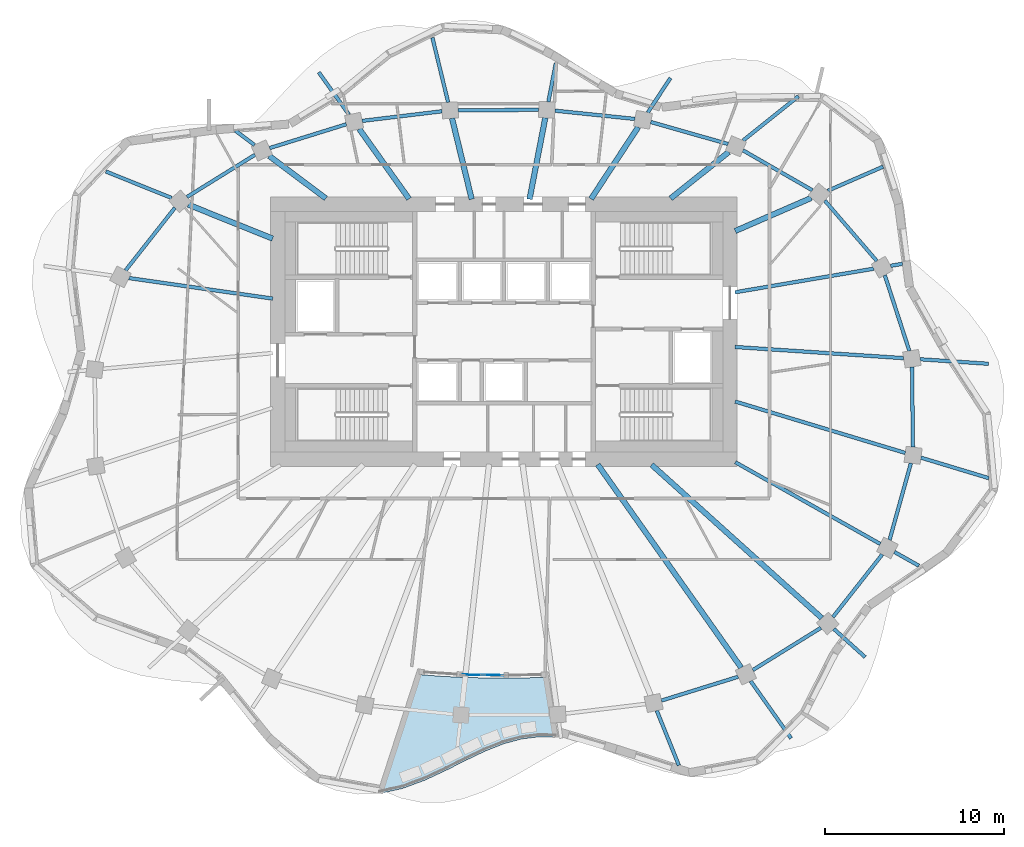
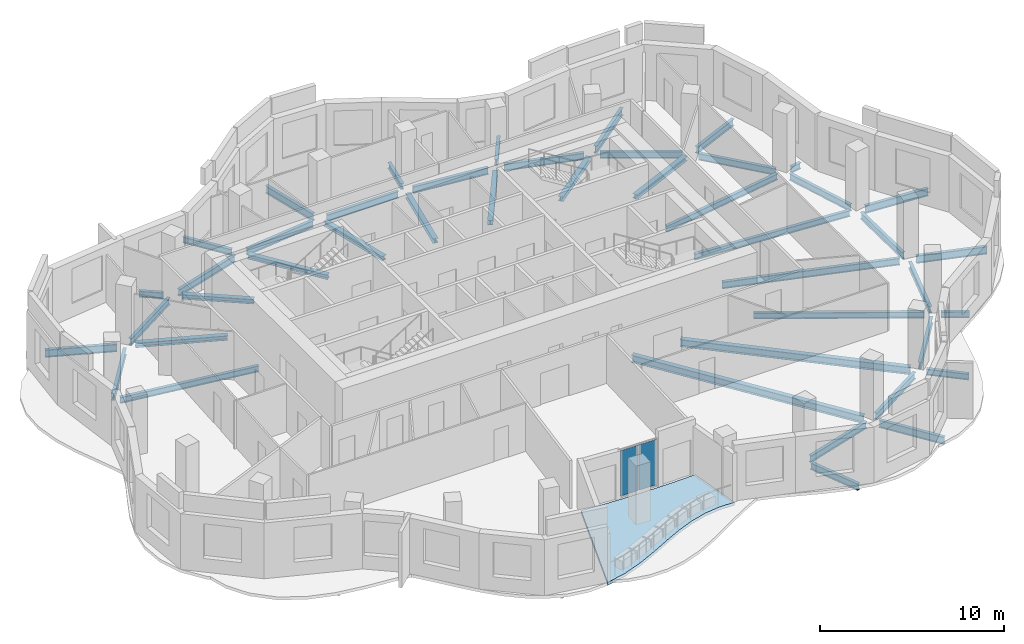
# One storey, part 3 of 12: 45 beams, 2 plates, 1 slab, 1 element without a shape of its own.
"""IFC4 building model written with IfcOpenShell, lengths in metres."""

from ifc_helpers import new_model, si_unit, direction, frame, origin, origin_2d, place, context, subcontext, project, spatial, polyline, rectangle, i_section, outline, extrude, material, layer, layer_set, material_profile, profile_set, type_object, element, aggregate, save


model = new_model("IFC4")

# Units and contexts
model_context = context("Model", 3, precision=1e-05, world=origin(), true_north=direction((0.0, 1.0)))
body_context = subcontext(model_context, "Body", "Model", "MODEL_VIEW")
ifc_project = project(units=[si_unit("LENGTHUNIT", "METRE"), si_unit("AREAUNIT", "SQUARE_METRE"), si_unit("VOLUMEUNIT", "CUBIC_METRE"), si_unit("PLANEANGLEUNIT", "RADIAN"), si_unit("MASSUNIT", "GRAM", prefix="KILO")], contexts=[model_context])

# Site, building, storey
site_placement = place(None, origin())
site = spatial("IfcSite", under=ifc_project, at=site_placement, CompositionType="ELEMENT")
building_placement = place(site_placement, origin())
building = spatial("IfcBuilding", under=site, at=building_placement, Name="Rubra Terraces Tower", CompositionType="ELEMENT")
storey_placement = place(building_placement, frame((0.0, 0.0, 276.60009765625)))
storey = spatial("IfcBuildingStorey", under=building, at=storey_placement, Name="L68", CompositionType="ELEMENT", Elevation=276.60009765625)

# Beams
ifc_material_1 = material(Name="Steel Q355B", Category="steel")
ifc_material_profile_1 = material_profile(ifc_material_1, i_section(OverallWidth=0.199951171875, OverallDepth=0.39990234375, WebThickness=0.008056640625, FlangeThickness=0.012939453125, at=origin_2d()), Name="HN 400x200x8x13")
ifc_profile_set_1 = profile_set([ifc_material_profile_1], Name="Steel Q355B")
beam_type_1 = type_object("IfcBeamType", Name="CANTILEVER BEAM HN 400x200x8x13", PredefinedType="BEAM", material=ifc_profile_set_1)
beam_1_placement = place(storey_placement, frame((8.01806640625, 16.714111328125, -0.400146484375), z_axis=(0.548693482057, 0.836023601789, 0.0), x_axis=(-0.836023601789, 0.548693482057, 0.0)))
element("IfcBeam", 1, at=beam_1_placement, inside=storey, type_object=beam_type_1, Name="beam-L68-cant-05", PredefinedType="BEAM", context=body_context, shape_type="SweptSolid", body=[
    extrude(i_section(OverallWidth=0.199951171875, OverallDepth=0.39990234375, WebThickness=0.008056640625, FlangeThickness=0.012939453125, at=origin_2d()), origin(), (0.0, 0.0, 1.0), 2.303466796875),
])
beam_2_placement = place(storey_placement, frame((2.47802734375, 17.30810546875, -0.400146484375), z_axis=(0.190070576242, 0.981770429401, 0.0), x_axis=(-0.981770429401, 0.190070576242, 0.0)))
element("IfcBeam", 2, at=beam_2_placement, inside=storey, type_object=beam_type_1, Name="beam-L68-cant-06", PredefinedType="BEAM", context=body_context, shape_type="SweptSolid", body=[
    extrude(i_section(OverallWidth=0.199951171875, OverallDepth=0.39990234375, WebThickness=0.008056640625, FlangeThickness=0.012939453125, at=origin_2d()), origin(), (0.0, 0.0, 1.0), 2.18359375),
])
beam_3_placement = place(storey_placement, frame((-8.632080078125, 16.591064453125, -0.400146484375), z_axis=(-0.581015335916, 0.813892609274, 0.0), x_axis=(-0.813892609274, -0.581015335916, 0.0)))
element("IfcBeam", 3, at=beam_3_placement, inside=storey, type_object=beam_type_1, Name="beam-L68-cant-08", PredefinedType="BEAM", context=body_context, shape_type="SweptSolid", body=[
    extrude(i_section(OverallWidth=0.199951171875, OverallDepth=0.39990234375, WebThickness=0.008056640625, FlangeThickness=0.012939453125, at=origin_2d()), origin(), (0.0, 0.0, 1.0), 2.90185546875),
])
beam_4_placement = place(storey_placement, frame((18.386962890625, -12.06591796875, -0.400146484375), z_axis=(0.742802170088, -0.669510967881, 0.0), x_axis=(0.669510967881, 0.742802170088, 0.0)))
element("IfcBeam", 4, at=beam_4_placement, inside=storey, type_object=beam_type_1, Name="beam-L68-cant-22", PredefinedType="BEAM", context=body_context, shape_type="SweptSolid", body=[
    extrude(i_section(OverallWidth=0.199951171875, OverallDepth=0.39990234375, WebThickness=0.008056640625, FlangeThickness=0.012939453125, at=origin_2d()), origin(), (0.0, 0.0, 1.0), 2.34521484375),
])
beam_5_placement = place(storey_placement, frame((21.759033203125, -7.77490234375, -0.400146484375), z_axis=(0.870855473969, -0.491539157604, 0.0), x_axis=(0.491539157604, 0.870855473969, 0.0)))
element("IfcBeam", 5, at=beam_5_placement, inside=storey, type_object=beam_type_1, Name="beam-L68-cant-23", PredefinedType="BEAM", context=body_context, shape_type="SweptSolid", body=[
    extrude(i_section(OverallWidth=0.199951171875, OverallDepth=0.39990234375, WebThickness=0.008056640625, FlangeThickness=0.012939453125, at=origin_2d()), origin(), (0.0, 0.0, 1.0), 1.568603515625),
])
ifc_material_profile_2 = material_profile(ifc_material_1, i_section(OverallWidth=0.198974609375, OverallDepth=0.446044921875, WebThickness=0.008056640625, FlangeThickness=0.011962890625, at=origin_2d()), Name="HN 446x199x8x12")
ifc_profile_set_2 = profile_set([ifc_material_profile_2], Name="Steel Q355B")
beam_type_2 = type_object("IfcBeamType", Name="CANTILEVER BEAM HN 446x199x8x12", PredefinedType="BEAM", material=ifc_profile_set_2)
beam_6_placement = place(storey_placement, frame((18.047119140625, 12.35205078125, -0.423095703125), z_axis=(0.916884095098, 0.399153549597, 0.0), x_axis=(-0.399153549597, 0.916884095098, 0.0)))
element("IfcBeam", 6, at=beam_6_placement, inside=storey, type_object=beam_type_2, Name="beam-L68-cant-03", PredefinedType="BEAM", context=body_context, shape_type="SweptSolid", body=[
    extrude(i_section(OverallWidth=0.198974609375, OverallDepth=0.446044921875, WebThickness=0.008056640625, FlangeThickness=0.011962890625, at=origin_2d()), origin(), (0.0, 0.0, 1.0), 3.3623046875),
])
beam_7_placement = place(storey_placement, frame((8.51806640625, -16.615966796875, -0.423095703125), z_axis=(0.374201866124, -0.927347272271, 0.0), x_axis=(0.927347272271, 0.374201866124, 0.0)))
element("IfcBeam", 7, at=beam_7_placement, inside=storey, type_object=beam_type_2, Name="beam-L68-cant-20", PredefinedType="BEAM", context=body_context, shape_type="SweptSolid", body=[
    extrude(i_section(OverallWidth=0.198974609375, OverallDepth=0.446044921875, WebThickness=0.008056640625, FlangeThickness=0.011962890625, at=origin_2d()), origin(), (0.0, 0.0, 1.0), 3.292236328125),
])
ifc_material_profile_3 = material_profile(ifc_material_1, i_section(OverallWidth=0.198974609375, OverallDepth=0.49609375, WebThickness=0.009033203125, FlangeThickness=0.013916015625, at=origin_2d()), Name="HN 496x199x9x14")
ifc_profile_set_3 = profile_set([ifc_material_profile_3], Name="Steel Q355B")
beam_type_3 = type_object("IfcBeamType", Name="CANTILEVER BEAM HN 496x199x9x14", PredefinedType="BEAM", material=ifc_profile_set_3)
beam_8_placement = place(storey_placement, frame((23.195068359375, 2.9619140625, -0.447998046875), z_axis=(0.997815921371, -0.066055938858, 0.0), x_axis=(0.066055938858, 0.997815921371, 0.0)))
element("IfcBeam", 8, at=beam_8_placement, inside=storey, type_object=beam_type_3, Name="beam-L68-cant-01", PredefinedType="BEAM", context=body_context, shape_type="SweptSolid", body=[
    extrude(i_section(OverallWidth=0.198974609375, OverallDepth=0.49609375, WebThickness=0.009033203125, FlangeThickness=0.013916015625, at=origin_2d()), origin(), (0.0, 0.0, 1.0), 3.814208984375),
])
beam_9_placement = place(storey_placement, frame((13.326904296875, 15.152099609375, -0.447998046875), z_axis=(0.781158201486, 0.624333135634, 0.0), x_axis=(-0.624333135634, 0.781158201486, 0.0)))
element("IfcBeam", 9, at=beam_9_placement, inside=storey, type_object=beam_type_3, Name="beam-L68-cant-04", PredefinedType="BEAM", context=body_context, shape_type="SweptSolid", body=[
    extrude(i_section(OverallWidth=0.198974609375, OverallDepth=0.49609375, WebThickness=0.009033203125, FlangeThickness=0.013916015625, at=origin_2d()), origin(), (0.0, 0.0, 1.0), 3.949462890625),
])
beam_10_placement = place(storey_placement, frame((-3.10693359375, 17.280029296875, -0.447998046875), z_axis=(-0.236180248779, 0.971709262118, 0.0), x_axis=(-0.971709262118, -0.236180248779, 0.0)))
element("IfcBeam", 10, at=beam_10_placement, inside=storey, type_object=beam_type_3, Name="beam-L68-cant-07", PredefinedType="BEAM", context=body_context, shape_type="SweptSolid", body=[
    extrude(i_section(OverallWidth=0.198974609375, OverallDepth=0.49609375, WebThickness=0.009033203125, FlangeThickness=0.013916015625, at=origin_2d()), origin(), (0.0, 0.0, 1.0), 3.708984375),
])
beam_11_placement = place(storey_placement, frame((-18.51708984375, 11.949951171875, -0.447998046875), z_axis=(-0.927638789875, 0.373478614541, 0.0), x_axis=(-0.373478614541, -0.927638789875, 0.0)))
element("IfcBeam", 11, at=beam_11_placement, inside=storey, type_object=beam_type_3, Name="beam-L68-cant-10", PredefinedType="BEAM", context=body_context, shape_type="SweptSolid", body=[
    extrude(i_section(OverallWidth=0.198974609375, OverallDepth=0.49609375, WebThickness=0.009033203125, FlangeThickness=0.013916015625, at=origin_2d()), origin(), (0.0, 0.0, 1.0), 3.94970703125),
])
beam_12_placement = place(storey_placement, frame((13.7509765625, -14.969970703125, -0.447998046875), z_axis=(0.576938338503, -0.816787704098, 0.0), x_axis=(0.816787704098, 0.576938338503, 0.0)))
element("IfcBeam", 12, at=beam_12_placement, inside=storey, type_object=beam_type_3, Name="beam-L68-cant-21", PredefinedType="BEAM", context=body_context, shape_type="SweptSolid", body=[
    extrude(i_section(OverallWidth=0.198974609375, OverallDepth=0.49609375, WebThickness=0.009033203125, FlangeThickness=0.013916015625, at=origin_2d()), origin(), (0.0, 0.0, 1.0), 3.90673828125),
])
beam_13_placement = place(storey_placement, frame((23.239013671875, -2.52099609375, -0.447998046875), z_axis=(0.957281879251, -0.289156365412, 0.0), x_axis=(0.289156365412, 0.957281879251, 0.0)))
element("IfcBeam", 13, at=beam_13_placement, inside=storey, type_object=beam_type_3, Name="beam-L68-cant-24", PredefinedType="BEAM", context=body_context, shape_type="SweptSolid", body=[
    extrude(i_section(OverallWidth=0.198974609375, OverallDepth=0.49609375, WebThickness=0.009033203125, FlangeThickness=0.013916015625, at=origin_2d()), origin(), (0.0, 0.0, 1.0), 3.94970703125),
])
ifc_material_profile_4 = material_profile(ifc_material_1, i_section(OverallWidth=0.199951171875, OverallDepth=0.39990234375, WebThickness=0.008056640625, FlangeThickness=0.012939453125, at=origin_2d()), Name="HN 400x200x8x13")
ifc_profile_set_4 = profile_set([ifc_material_profile_4], Name="Steel Q355B")
beam_type_4 = type_object("IfcBeamType", Name="CANTILEVER STUB HN 400x200x8x13", PredefinedType="BEAM", material=ifc_profile_set_4)
beam_14_placement = place(storey_placement, frame((21.552001953125, 8.169921875, -0.400146484375), z_axis=(0.985763092969, 0.168140193115, 0.0), x_axis=(-0.168140193115, 0.985763092969, 0.0)))
element("IfcBeam", 14, at=beam_14_placement, inside=storey, type_object=beam_type_4, Name="beam-L68-cant-02", PredefinedType="BEAM", context=body_context, shape_type="SweptSolid", body=[
    extrude(i_section(OverallWidth=0.199951171875, OverallDepth=0.39990234375, WebThickness=0.008056640625, FlangeThickness=0.012939453125, at=origin_2d()), origin(), (0.0, 0.0, 1.0), 0.66650390625),
])
beam_15_placement = place(storey_placement, frame((-13.89794921875, 14.903076171875, -0.400146484375), z_axis=(-0.800460829236, 0.599385068932, 0.0), x_axis=(-0.599385068932, -0.800460829236, 0.0)))
element("IfcBeam", 15, at=beam_15_placement, inside=storey, type_object=beam_type_4, Name="beam-L68-cant-09", PredefinedType="BEAM", context=body_context, shape_type="SweptSolid", body=[
    extrude(i_section(OverallWidth=0.199951171875, OverallDepth=0.39990234375, WebThickness=0.008056640625, FlangeThickness=0.012939453125, at=origin_2d()), origin(), (0.0, 0.0, 1.0), 1.33447265625),
])
ifc_material_profile_5 = material_profile(ifc_material_1, i_section(OverallWidth=0.300048828125, OverallDepth=0.48193359375, WebThickness=0.010986328125, FlangeThickness=0.014892578125, at=origin_2d()), Name="HM 482x300x11x15")
ifc_profile_set_5 = profile_set([ifc_material_profile_5], Name="Steel Q355B")
beam_type_5 = type_object("IfcBeamType", Name="FLOOR BEAM HM 482x300x11x15", PredefinedType="BEAM", material=ifc_profile_set_5)
beam_16_placement = place(storey_placement, frame((13.222900390625, -14.221923828125, -0.441162109375), z_axis=(-0.576895514811, 0.816817950948, 0.0), x_axis=(-0.816817950948, -0.576895514811, 0.0)))
element("IfcBeam", 16, at=beam_16_placement, inside=storey, type_object=beam_type_5, Name="beam-L68-floor-21", PredefinedType="BEAM", context=body_context, shape_type="SweptSolid", body=[
    extrude(i_section(OverallWidth=0.300048828125, OverallDepth=0.48193359375, WebThickness=0.010986328125, FlangeThickness=0.014892578125, at=origin_2d()), origin(), (0.0, 0.0, 1.0), 13.8583984375),
])
beam_17_placement = place(storey_placement, frame((17.715087890625, -11.4599609375, -0.441162109375), z_axis=(-0.742980094736, 0.669313513105, 0.0), x_axis=(-0.669313513105, -0.742980094736, 0.0)))
element("IfcBeam", 17, at=beam_17_placement, inside=storey, type_object=beam_type_5, Name="beam-L68-floor-22", PredefinedType="BEAM", context=body_context, shape_type="SweptSolid", body=[
    extrude(i_section(OverallWidth=0.300048828125, OverallDepth=0.48193359375, WebThickness=0.010986328125, FlangeThickness=0.014892578125, at=origin_2d()), origin(), (0.0, 0.0, 1.0), 12.759521484375),
])
ifc_material_profile_6 = material_profile(ifc_material_1, i_section(OverallWidth=0.199951171875, OverallDepth=0.39990234375, WebThickness=0.008056640625, FlangeThickness=0.012939453125, at=origin_2d()), Name="HN 400x200x8x13")
ifc_profile_set_6 = profile_set([ifc_material_profile_6], Name="Steel Q355B")
beam_type_6 = type_object("IfcBeamType", Name="FLOOR BEAM HN 400x200x8x13", PredefinedType="BEAM", material=ifc_profile_set_6)
beam_18_placement = place(storey_placement, frame((22.27294921875, 3.02392578125, -0.400146484375), z_axis=(-0.997814209988, 0.066081785285, 0.0), x_axis=(-0.066081785285, -0.997814209988, 0.0)))
element("IfcBeam", 18, at=beam_18_placement, inside=storey, type_object=beam_type_6, Name="beam-L68-floor-01", PredefinedType="BEAM", context=body_context, shape_type="SweptSolid", body=[
    extrude(i_section(OverallWidth=0.199951171875, OverallDepth=0.39990234375, WebThickness=0.008056640625, FlangeThickness=0.012939453125, at=origin_2d()), origin(), (0.0, 0.0, 1.0), 9.41357421875),
])
beam_19_placement = place(storey_placement, frame((20.610107421875, 8.010009765625, -0.400146484375), z_axis=(-0.985810425856, -0.167862456415, 0.0), x_axis=(0.167862456415, -0.985810425856, 0.0)))
element("IfcBeam", 19, at=beam_19_placement, inside=storey, type_object=beam_type_6, Name="beam-L68-floor-02", PredefinedType="BEAM", context=body_context, shape_type="SweptSolid", body=[
    extrude(i_section(OverallWidth=0.199951171875, OverallDepth=0.39990234375, WebThickness=0.008056640625, FlangeThickness=0.012939453125, at=origin_2d()), origin(), (0.0, 0.0, 1.0), 7.83935546875),
])
beam_20_placement = place(storey_placement, frame((-20.89697265625, 7.487060546875, -0.400146484375), z_axis=(0.98993441274, -0.141526882509, 0.0), x_axis=(0.141526882509, 0.98993441274, 0.0)))
element("IfcBeam", 20, at=beam_20_placement, inside=storey, type_object=beam_type_6, Name="beam-L68-floor-11", PredefinedType="BEAM", context=body_context, shape_type="SweptSolid", body=[
    extrude(i_section(OverallWidth=0.199951171875, OverallDepth=0.39990234375, WebThickness=0.008056640625, FlangeThickness=0.012939453125, at=origin_2d()), origin(), (0.0, 0.0, 1.0), 8.097412109375),
])
beam_21_placement = place(storey_placement, frame((20.97509765625, -7.3330078125, -0.400146484375), z_axis=(-0.870973270007, 0.491330400986, 0.0), x_axis=(-0.491330400986, -0.870973270007, 0.0)))
element("IfcBeam", 21, at=beam_21_placement, inside=storey, type_object=beam_type_6, Name="beam-L68-floor-23", PredefinedType="BEAM", context=body_context, shape_type="SweptSolid", body=[
    extrude(i_section(OverallWidth=0.199951171875, OverallDepth=0.39990234375, WebThickness=0.008056640625, FlangeThickness=0.012939453125, at=origin_2d()), origin(), (0.0, 0.0, 1.0), 9.277099609375),
])
ifc_material_profile_7 = material_profile(ifc_material_1, i_section(OverallWidth=0.198974609375, OverallDepth=0.446044921875, WebThickness=0.008056640625, FlangeThickness=0.011962890625, at=origin_2d()), Name="HN 446x199x8x12")
ifc_profile_set_7 = profile_set([ifc_material_profile_7], Name="Steel Q355B")
beam_type_7 = type_object("IfcBeamType", Name="FLOOR BEAM HN 446x199x8x12", PredefinedType="BEAM", material=ifc_profile_set_7)
beam_22_placement = place(storey_placement, frame((22.364990234375, -2.257080078125, -0.423095703125), z_axis=(-0.957268105474, 0.289201960992, 0.0), x_axis=(-0.289201960992, -0.957268105474, 0.0)))
element("IfcBeam", 22, at=beam_22_placement, inside=storey, type_object=beam_type_7, Name="beam-L68-floor-24", PredefinedType="BEAM", context=body_context, shape_type="SweptSolid", body=[
    extrude(i_section(OverallWidth=0.198974609375, OverallDepth=0.446044921875, WebThickness=0.008056640625, FlangeThickness=0.011962890625, at=origin_2d()), origin(), (0.0, 0.0, 1.0), 9.903076171875),
])
ifc_material_profile_8 = material_profile(ifc_material_1, i_section(OverallWidth=0.304931640625, OverallDepth=0.300048828125, WebThickness=0.014892578125, FlangeThickness=0.014892578125, at=origin_2d()), Name="HW 300x305x15x15")
ifc_profile_set_8 = profile_set([ifc_material_profile_8], Name="Steel Q355B")
beam_type_8 = type_object("IfcBeamType", Name="FLOOR BEAM HW 300x305x15x15", PredefinedType="BEAM", material=ifc_profile_set_8)
beam_23_placement = place(storey_placement, frame((17.12109375, 11.949951171875, -0.35009765625), z_axis=(-0.916958146743, -0.398983404569, 0.0), x_axis=(0.398983404569, -0.916958146743, 0.0)))
element("IfcBeam", 23, at=beam_23_placement, inside=storey, type_object=beam_type_8, Name="beam-L68-floor-03", PredefinedType="BEAM", context=body_context, shape_type="SweptSolid", body=[
    extrude(i_section(OverallWidth=0.304931640625, OverallDepth=0.300048828125, WebThickness=0.014892578125, FlangeThickness=0.014892578125, at=origin_2d()), origin(), (0.0, 0.0, 1.0), 4.614501953125),
])
beam_24_placement = place(storey_placement, frame((12.527099609375, 14.511962890625, -0.35009765625), z_axis=(-0.781190597938, -0.624292599423, 0.0), x_axis=(0.624292599423, -0.781190597938, 0.0)))
element("IfcBeam", 24, at=beam_24_placement, inside=storey, type_object=beam_type_8, Name="beam-L68-floor-04", PredefinedType="BEAM", context=body_context, shape_type="SweptSolid", body=[
    extrude(i_section(OverallWidth=0.304931640625, OverallDepth=0.300048828125, WebThickness=0.014892578125, FlangeThickness=0.014892578125, at=origin_2d()), origin(), (0.0, 0.0, 1.0), 4.143798828125),
])
beam_25_placement = place(storey_placement, frame((7.48388671875, 15.89990234375, -0.35009765625), z_axis=(-0.548799087814, -0.835954281773, 0.0), x_axis=(0.835954281773, -0.548799087814, 0.0)))
element("IfcBeam", 25, at=beam_25_placement, inside=storey, type_object=beam_type_8, Name="beam-L68-floor-05", PredefinedType="BEAM", context=body_context, shape_type="SweptSolid", body=[
    extrude(i_section(OverallWidth=0.304931640625, OverallDepth=0.300048828125, WebThickness=0.014892578125, FlangeThickness=0.014892578125, at=origin_2d()), origin(), (0.0, 0.0, 1.0), 4.784912109375),
])
beam_26_placement = place(storey_placement, frame((2.305908203125, 16.416015625, -0.35009765625), z_axis=(-0.190104093884, -0.981763939798, 0.0), x_axis=(0.981763939798, -0.190104093884, 0.0)))
element("IfcBeam", 26, at=beam_26_placement, inside=storey, type_object=beam_type_8, Name="beam-L68-floor-06", PredefinedType="BEAM", context=body_context, shape_type="SweptSolid", body=[
    extrude(i_section(OverallWidth=0.304931640625, OverallDepth=0.300048828125, WebThickness=0.014892578125, FlangeThickness=0.014892578125, at=origin_2d()), origin(), (0.0, 0.0, 1.0), 4.6181640625),
])
beam_27_placement = place(storey_placement, frame((-2.89111328125, 16.39208984375, -0.35009765625), z_axis=(0.236229407797, -0.971697312383, 0.0), x_axis=(0.971697312383, 0.236229407797, 0.0)))
element("IfcBeam", 27, at=beam_27_placement, inside=storey, type_object=beam_type_8, Name="beam-L68-floor-07", PredefinedType="BEAM", context=body_context, shape_type="SweptSolid", body=[
    extrude(i_section(OverallWidth=0.304931640625, OverallDepth=0.300048828125, WebThickness=0.014892578125, FlangeThickness=0.014892578125, at=origin_2d()), origin(), (0.0, 0.0, 1.0), 4.640380859375),
])
beam_28_placement = place(storey_placement, frame((-8.06201171875, 15.79296875, -0.35009765625), z_axis=(0.580948286594, -0.813940469754, 0.0), x_axis=(0.813940469754, 0.580948286594, 0.0)))
element("IfcBeam", 28, at=beam_28_placement, inside=storey, type_object=beam_type_8, Name="beam-L68-floor-08", PredefinedType="BEAM", context=body_context, shape_type="SweptSolid", body=[
    extrude(i_section(OverallWidth=0.304931640625, OverallDepth=0.300048828125, WebThickness=0.014892578125, FlangeThickness=0.014892578125, at=origin_2d()), origin(), (0.0, 0.0, 1.0), 4.7802734375),
])
beam_29_placement = place(storey_placement, frame((-13.075927734375, 14.2890625, -0.35009765625), z_axis=(0.800431185592, -0.599424655092, 0.0), x_axis=(0.599424655092, 0.800431185592, 0.0)))
element("IfcBeam", 29, at=beam_29_placement, inside=storey, type_object=beam_type_8, Name="beam-L68-floor-09", PredefinedType="BEAM", context=body_context, shape_type="SweptSolid", body=[
    extrude(i_section(OverallWidth=0.304931640625, OverallDepth=0.300048828125, WebThickness=0.014892578125, FlangeThickness=0.014892578125, at=origin_2d()), origin(), (0.0, 0.0, 1.0), 3.93896484375),
])
beam_30_placement = place(storey_placement, frame((-17.5849609375, 11.575927734375, -0.35009765625), z_axis=(0.927692985207, -0.373343977047, 0.0), x_axis=(0.373343977047, 0.927692985207, 0.0)))
element("IfcBeam", 30, at=beam_30_placement, inside=storey, type_object=beam_type_8, Name="beam-L68-floor-10", PredefinedType="BEAM", context=body_context, shape_type="SweptSolid", body=[
    extrude(i_section(OverallWidth=0.304931640625, OverallDepth=0.300048828125, WebThickness=0.014892578125, FlangeThickness=0.014892578125, at=origin_2d()), origin(), (0.0, 0.0, 1.0), 5.06201171875),
])
ifc_material_profile_9 = material_profile(ifc_material_1, i_section(OverallWidth=0.198974609375, OverallDepth=0.446044921875, WebThickness=0.008056640625, FlangeThickness=0.011962890625, at=origin_2d()), Name="HN 446x199x8x12")
ifc_profile_set_9 = profile_set([ifc_material_profile_9], Name="Steel Q355B")
beam_type_9 = type_object("IfcBeamType", Name="SPANDREL BEAM HN 446x199x8x12", PredefinedType="SPANDREL", material=ifc_profile_set_9)
beam_31_placement = place(storey_placement, frame((22.593994140625, 3.426025390625, -0.423095703125), z_axis=(-0.308536942246, 0.951212360764, 0.0), x_axis=(-0.951212360764, -0.308536942246, 0.0)))
element("IfcBeam", 31, at=beam_31_placement, inside=storey, type_object=beam_type_9, Name="beam-L68-spandrel-01", PredefinedType="SPANDREL", context=body_context, shape_type="SweptSolid", body=[
    extrude(i_section(OverallWidth=0.198974609375, OverallDepth=0.446044921875, WebThickness=0.008056640625, FlangeThickness=0.011962890625, at=origin_2d()), origin(), (0.0, 0.0, 1.0), 4.44384765625),
])
beam_32_placement = place(storey_placement, frame((20.781005859375, 8.43798828125, -0.423095703125), z_axis=(-0.652473175209, 0.757811820726, 0.0), x_axis=(-0.757811820726, -0.652473175209, 0.0)))
element("IfcBeam", 32, at=beam_32_placement, inside=storey, type_object=beam_type_9, Name="beam-L68-spandrel-02", PredefinedType="SPANDREL", context=body_context, shape_type="SweptSolid", body=[
    extrude(i_section(OverallWidth=0.198974609375, OverallDepth=0.446044921875, WebThickness=0.008056640625, FlangeThickness=0.011962890625, at=origin_2d()), origin(), (0.0, 0.0, 1.0), 4.44287109375),
])
beam_33_placement = place(storey_placement, frame((17.18798828125, 12.37890625, -0.423095703125), z_axis=(-0.866616005945, 0.498975648945, 0.0), x_axis=(-0.498975648945, -0.866616005945, 0.0)))
element("IfcBeam", 33, at=beam_33_placement, inside=storey, type_object=beam_type_9, Name="beam-L68-spandrel-03", PredefinedType="SPANDREL", context=body_context, shape_type="SweptSolid", body=[
    extrude(i_section(OverallWidth=0.198974609375, OverallDepth=0.446044921875, WebThickness=0.008056640625, FlangeThickness=0.011962890625, at=origin_2d()), origin(), (0.0, 0.0, 1.0), 4.463134765625),
])
beam_34_placement = place(storey_placement, frame((12.490966796875, 14.9560546875, -0.423095703125), z_axis=(-0.961713024643, 0.27405849418, 0.0), x_axis=(-0.27405849418, -0.961713024643, 0.0)))
element("IfcBeam", 34, at=beam_34_placement, inside=storey, type_object=beam_type_9, Name="beam-L68-spandrel-04", PredefinedType="SPANDREL", context=body_context, shape_type="SweptSolid", body=[
    extrude(i_section(OverallWidth=0.198974609375, OverallDepth=0.446044921875, WebThickness=0.008056640625, FlangeThickness=0.011962890625, at=origin_2d()), origin(), (0.0, 0.0, 1.0), 4.477294921875),
])
beam_35_placement = place(storey_placement, frame((7.302001953125, 16.35400390625, -0.423095703125), z_axis=(-0.994684107425, 0.102973425873, 0.0), x_axis=(-0.102973425873, -0.994684107425, 0.0)))
element("IfcBeam", 35, at=beam_35_placement, inside=storey, type_object=beam_type_9, Name="beam-L68-spandrel-05", PredefinedType="SPANDREL", context=body_context, shape_type="SweptSolid", body=[
    extrude(i_section(OverallWidth=0.198974609375, OverallDepth=0.446044921875, WebThickness=0.008056640625, FlangeThickness=0.011962890625, at=origin_2d()), origin(), (0.0, 0.0, 1.0), 4.48583984375),
])
beam_36_placement = place(storey_placement, frame((1.94091796875, 16.860107421875, -0.423095703125), z_axis=(-0.999987753188, -0.004949088244, 0.0), x_axis=(0.004949088244, -0.999987753188, 0.0)))
element("IfcBeam", 36, at=beam_36_placement, inside=storey, type_object=beam_type_9, Name="beam-L68-spandrel-06", PredefinedType="SPANDREL", context=body_context, shape_type="SweptSolid", body=[
    extrude(i_section(OverallWidth=0.198974609375, OverallDepth=0.446044921875, WebThickness=0.008056640625, FlangeThickness=0.011962890625, at=origin_2d()), origin(), (0.0, 0.0, 1.0), 4.489013671875),
])
beam_37_placement = place(storey_placement, frame((-3.447021484375, 16.781982421875, -0.423095703125), z_axis=(-0.992829862118, -0.119536040116, 0.0), x_axis=(0.119536040116, -0.992829862118, 0.0)))
element("IfcBeam", 37, at=beam_37_placement, inside=storey, type_object=beam_type_9, Name="beam-L68-spandrel-07", PredefinedType="SPANDREL", context=body_context, shape_type="SweptSolid", body=[
    extrude(i_section(OverallWidth=0.198974609375, OverallDepth=0.446044921875, WebThickness=0.008056640625, FlangeThickness=0.011962890625, at=origin_2d()), origin(), (0.0, 0.0, 1.0), 4.483154296875),
])
beam_38_placement = place(storey_placement, frame((-8.779052734375, 16.05810546875, -0.423095703125), z_axis=(-0.955035382264, -0.296491852541, 0.0), x_axis=(0.296491852541, -0.955035382264, 0.0)))
element("IfcBeam", 38, at=beam_38_placement, inside=storey, type_object=beam_type_9, Name="beam-L68-spandrel-08", PredefinedType="SPANDREL", context=body_context, shape_type="SweptSolid", body=[
    extrude(i_section(OverallWidth=0.198974609375, OverallDepth=0.446044921875, WebThickness=0.008056640625, FlangeThickness=0.011962890625, at=origin_2d()), origin(), (0.0, 0.0, 1.0), 4.47607421875),
])
beam_39_placement = place(storey_placement, frame((-13.8720703125, 14.35693359375, -0.423095703125), z_axis=(-0.849641857012, -0.527360137679, 0.0), x_axis=(0.527360137679, -0.849641857012, 0.0)))
element("IfcBeam", 39, at=beam_39_placement, inside=storey, type_object=beam_type_9, Name="beam-L68-spandrel-09", PredefinedType="SPANDREL", context=body_context, shape_type="SweptSolid", body=[
    extrude(i_section(OverallWidth=0.198974609375, OverallDepth=0.446044921875, WebThickness=0.008056640625, FlangeThickness=0.011962890625, at=origin_2d()), origin(), (0.0, 0.0, 1.0), 4.4619140625),
])
beam_40_placement = place(storey_placement, frame((-18.333984375, 11.404052734375, -0.423095703125), z_axis=(-0.61888661349, -0.785480336891, 0.0), x_axis=(0.785480336891, -0.61888661349, 0.0)))
element("IfcBeam", 40, at=beam_40_placement, inside=storey, type_object=beam_type_9, Name="beam-L68-spandrel-10", PredefinedType="SPANDREL", context=body_context, shape_type="SweptSolid", body=[
    extrude(i_section(OverallWidth=0.198974609375, OverallDepth=0.446044921875, WebThickness=0.008056640625, FlangeThickness=0.011962890625, at=origin_2d()), origin(), (0.0, 0.0, 1.0), 4.44189453125),
])
beam_41_placement = place(storey_placement, frame((8.779052734375, -16.05810546875, -0.423095703125), z_axis=(0.955035382264, 0.296491852541, 0.0), x_axis=(-0.296491852541, 0.955035382264, 0.0)))
element("IfcBeam", 41, at=beam_41_placement, inside=storey, type_object=beam_type_9, Name="beam-L68-spandrel-20", PredefinedType="SPANDREL", context=body_context, shape_type="SweptSolid", body=[
    extrude(i_section(OverallWidth=0.198974609375, OverallDepth=0.446044921875, WebThickness=0.008056640625, FlangeThickness=0.011962890625, at=origin_2d()), origin(), (0.0, 0.0, 1.0), 4.47607421875),
])
beam_42_placement = place(storey_placement, frame((13.8720703125, -14.35693359375, -0.423095703125), z_axis=(0.849641857012, 0.527360137679, 0.0), x_axis=(-0.527360137679, 0.849641857012, 0.0)))
element("IfcBeam", 42, at=beam_42_placement, inside=storey, type_object=beam_type_9, Name="beam-L68-spandrel-21", PredefinedType="SPANDREL", context=body_context, shape_type="SweptSolid", body=[
    extrude(i_section(OverallWidth=0.198974609375, OverallDepth=0.446044921875, WebThickness=0.008056640625, FlangeThickness=0.011962890625, at=origin_2d()), origin(), (0.0, 0.0, 1.0), 4.4619140625),
])
beam_43_placement = place(storey_placement, frame((18.333984375, -11.404052734375, -0.423095703125), z_axis=(0.61888661349, 0.785480336891, 0.0), x_axis=(-0.785480336891, 0.61888661349, 0.0)))
element("IfcBeam", 43, at=beam_43_placement, inside=storey, type_object=beam_type_9, Name="beam-L68-spandrel-22", PredefinedType="SPANDREL", context=body_context, shape_type="SweptSolid", body=[
    extrude(i_section(OverallWidth=0.198974609375, OverallDepth=0.446044921875, WebThickness=0.008056640625, FlangeThickness=0.011962890625, at=origin_2d()), origin(), (0.0, 0.0, 1.0), 4.44189453125),
])
beam_44_placement = place(storey_placement, frame((21.489990234375, -7.112060546875, -0.423095703125), z_axis=(0.267564585696, 0.963539927809, 0.0), x_axis=(-0.963539927809, 0.267564585696, 0.0)))
element("IfcBeam", 44, at=beam_44_placement, inside=storey, type_object=beam_type_9, Name="beam-L68-spandrel-23", PredefinedType="SPANDREL", context=body_context, shape_type="SweptSolid", body=[
    extrude(i_section(OverallWidth=0.198974609375, OverallDepth=0.446044921875, WebThickness=0.008056640625, FlangeThickness=0.011962890625, at=origin_2d()), origin(), (0.0, 0.0, 1.0), 4.447265625),
])
beam_45_placement = place(storey_placement, frame((22.7958984375, -1.93408203125, -0.423095703125), z_axis=(-0.01250038801, 0.999921867097, 0.0), x_axis=(-0.999921867097, -0.01250038801, 0.0)))
element("IfcBeam", 45, at=beam_45_placement, inside=storey, type_object=beam_type_9, Name="beam-L68-spandrel-24", PredefinedType="SPANDREL", context=body_context, shape_type="SweptSolid", body=[
    extrude(i_section(OverallWidth=0.198974609375, OverallDepth=0.446044921875, WebThickness=0.008056640625, FlangeThickness=0.011962890625, at=origin_2d()), origin(), (0.0, 0.0, 1.0), 4.472412109375),
])

# Slab
ifc_material_2 = material(Name="Concrete C40", Category="concrete")
ifc_layer_1 = layer(ifc_material_2, 0.199951171875)
ifc_layer_set_1 = layer_set([ifc_layer_1], Name="Concrete C40")
slab_type = type_object("IfcSlabType", Name="FLOOR SLAB 200 COMPOSITE", PredefinedType="FLOOR", material=ifc_layer_set_1)
slab_placement = place(storey_placement, frame((0.0, 0.0, -0.2001953125)))
element("IfcSlab", 46, at=slab_placement, inside=storey, type_object=slab_type, Name="TERRACE SLAB L68", PredefinedType="FLOOR", context=body_context, shape_type="SweptSolid", body=[
    extrude(outline(polyline([(-6.89892578125, -21.23291015625), (-5.633056640625, -20.951904296875), (-4.3798828125, -20.487060546875), (-3.154052734375, -19.912109375), (-2.0859375, -19.3740234375), (-1.0390625, -18.873046875), (0.0, -18.462890625), (0.964111328125, -18.202880859375), (1.9169921875, -18.080078125), (2.866943359375, -18.10009765625), (2.337890625, -14.762939453125), (1.1689453125, -14.79296875), (0.0, -14.800048828125), (-1.1689453125, -14.79296875), (-2.337890625, -14.762939453125), (-3.54296875, -14.700927734375), (-4.7451171875, -14.60400390625), (-6.89892578125, -21.23291015625)])), origin(), (0.0, 0.0, 1.0), 0.2001953125),
])

# Curtain wall, plates
ifc_material_3 = material(Name="Aluminium and glass", Category="aluminium")
curtain_wall_type = type_object("IfcCurtainWallType", Name="Curtain wall Terrace glazing", PredefinedType="NOTDEFINED", material=ifc_material_3)
curtain_wall_placement = place(storey_placement, origin())
curtain_wall = element("IfcCurtainWall", 47, at=curtain_wall_placement, inside=storey, type_object=curtain_wall_type, Name="Terrace glazing L68", PredefinedType="NOTDEFINED")
ifc_material_4 = material(Name="Clear glass, laminated", Category="glass")
ifc_layer_2 = layer(ifc_material_4, 0.028076171875)
ifc_layer_set_2 = layer_set([ifc_layer_2], Name="Clear glass, laminated")
plate_type = type_object("IfcPlateType", Name="Terrace glazing glass panel 28", PredefinedType="CURTAIN_PANEL", material=ifc_layer_set_2)
plate_1_placement = place(storey_placement, frame((-1.738525390625, -14.62255859375, 0.099853515625), z_axis=(0.0, 0.0, 1.0), x_axis=(0.99987480042, -0.015823510521, 0.0)))
plate_1 = element("IfcPlate", 48, at=plate_1_placement, type_object=plate_type, Name="CW3 panel 1.1", PredefinedType="CURTAIN_PANEL", context=body_context, shape_type="SweptSolid", body=[
    extrude(rectangle(XDim=1.09423828125, YDim=0.028076171875, at=origin_2d()), origin(), (0.0, 0.0, 1.0), 3.01806640625),
])
plate_2_placement = place(storey_placement, frame((-0.594482421875, -14.640625, 0.099853515625), z_axis=(0.0, 0.0, 1.0), x_axis=(0.99987480042, -0.015823510521, 0.0)))
plate_2 = element("IfcPlate", 49, at=plate_2_placement, type_object=plate_type, Name="CW3 panel 2.1", PredefinedType="CURTAIN_PANEL", context=body_context, shape_type="SweptSolid", body=[
    extrude(rectangle(XDim=1.09423828125, YDim=0.028076171875, at=origin_2d()), origin(), (0.0, 0.0, 1.0), 3.01806640625),
])
aggregate(curtain_wall, [plate_1, plate_2])

save(model, "model.ifc")
